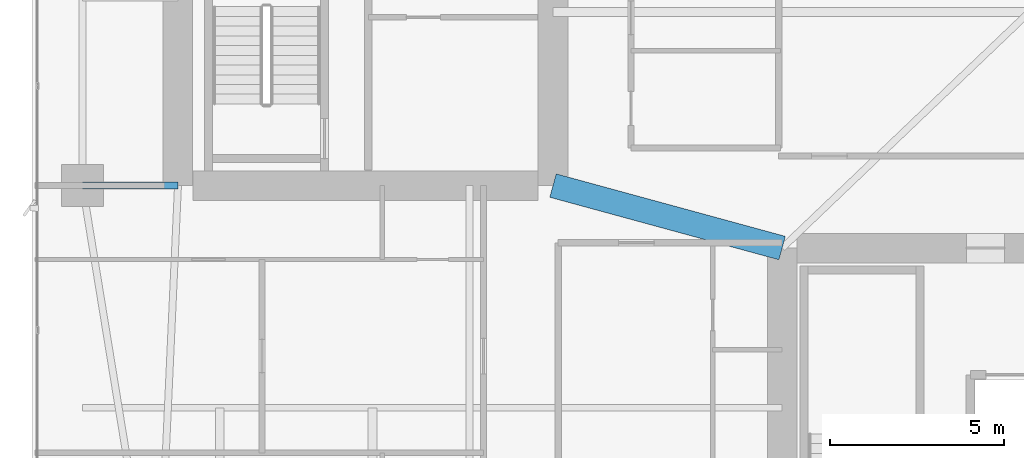
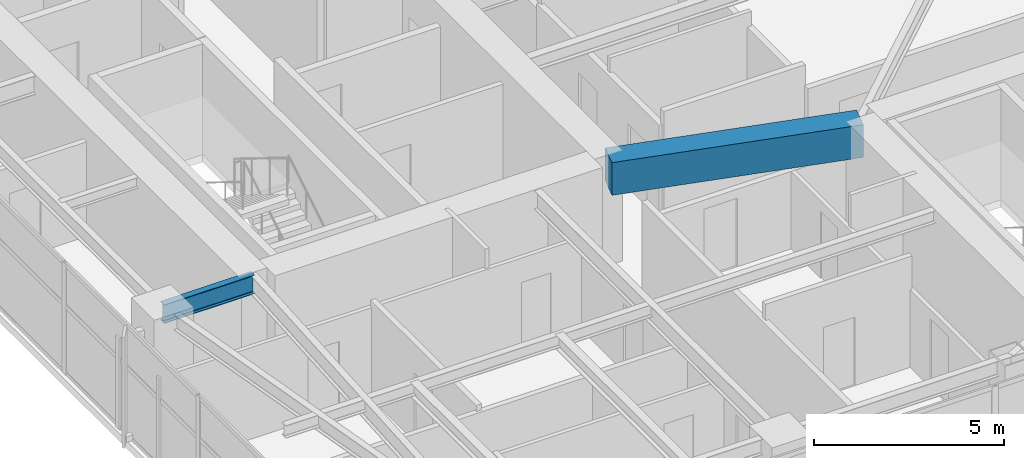
# One storey, part 7 of 28: 2 beams.
"""IFC4 building model written with IfcOpenShell, lengths in metres."""

from ifc_helpers import new_model, si_unit, direction, frame, origin, origin_2d, place, context, subcontext, project, spatial, rectangle, i_section, extrude, material, material_profile, profile_set, type_object, element, save


model = new_model("IFC4")

# Units and contexts
model_context = context("Model", 3, precision=1e-05, world=origin(), true_north=direction((0.0, 1.0)))
body_context = subcontext(model_context, "Body", "Model", "MODEL_VIEW")
ifc_project = project(units=[si_unit("LENGTHUNIT", "METRE"), si_unit("AREAUNIT", "SQUARE_METRE"), si_unit("VOLUMEUNIT", "CUBIC_METRE"), si_unit("PLANEANGLEUNIT", "RADIAN"), si_unit("MASSUNIT", "GRAM", prefix="KILO")], contexts=[model_context])

# Site, building, storey
site_placement = place(None, origin())
site = spatial("IfcSite", under=ifc_project, at=site_placement, CompositionType="ELEMENT")
building_placement = place(site_placement, origin())
building = spatial("IfcBuilding", under=site, at=building_placement, Name="Calvorn Quay Hotel", CompositionType="ELEMENT")
storey_placement = place(building_placement, frame((0.0, 0.0, 156.10009765625)))
storey = spatial("IfcBuildingStorey", under=building, at=storey_placement, Name="L38", CompositionType="ELEMENT", Elevation=156.10009765625)

# Beams
ifc_material_1 = material(Name="Steel Q355B", Category="steel")
ifc_material_profile_1 = material_profile(ifc_material_1, i_section(OverallWidth=0.199951171875, OverallDepth=0.60009765625, WebThickness=0.010986328125, FlangeThickness=0.01708984375, FilletRadius=0.01806640625, at=origin_2d()), Name="HN600x200x11x17")
ifc_profile_set_1 = profile_set([ifc_material_profile_1], Name="Steel Q355B")
beam_type_1 = type_object("IfcBeamType", Name="BM-GIRD-TYP", PredefinedType="BEAM", material=ifc_profile_set_1)
beam_1_placement = place(storey_placement, frame((1.449951171875, 16.800048828125, 3.239990234375), z_axis=(1.0, 0.0, 0.0), x_axis=(0.0, 1.0, 0.0)))
element("IfcBeam", 1, at=beam_1_placement, inside=storey, type_object=beam_type_1, Name="Beam BG-L38-W1", PredefinedType="BEAM", context=body_context, shape_type="SweptSolid", body=[
    extrude(i_section(OverallWidth=0.199951171875, OverallDepth=0.60009765625, WebThickness=0.010986328125, FlangeThickness=0.01708984375, FilletRadius=0.01806640625, at=origin_2d()), origin(), (0.0, 0.0, 1.0), 2.75),
])
ifc_material_2 = material(Name="Concrete C50", Category="concrete")
ifc_material_profile_2 = material_profile(ifc_material_2, rectangle(XDim=0.699951171875, YDim=1.050048828125, at=origin_2d()), Name="RCB700x1050")
ifc_profile_set_2 = profile_set([ifc_material_profile_2], Name="Concrete C50")
beam_type_2 = type_object("IfcBeamType", Name="BM-RC-LINK-700x1050", PredefinedType="BEAM", material=ifc_profile_set_2)
beam_2_placement = place(storey_placement, frame((15.0, 16.800048828125, 3.014892578125), z_axis=(0.964762997686, -0.263120425462, 0.0), x_axis=(0.263120425462, 0.964762997686, 0.0)))
element("IfcBeam", 2, at=beam_2_placement, inside=storey, type_object=beam_type_2, Name="Beam BCL-L38-01", PredefinedType="BEAM", context=body_context, shape_type="SweptSolid", body=[
    extrude(rectangle(XDim=0.699951171875, YDim=1.050048828125, at=origin_2d()), origin(), (0.0, 0.0, 1.0), 6.841064453125),
])

save(model, "model.ifc")
